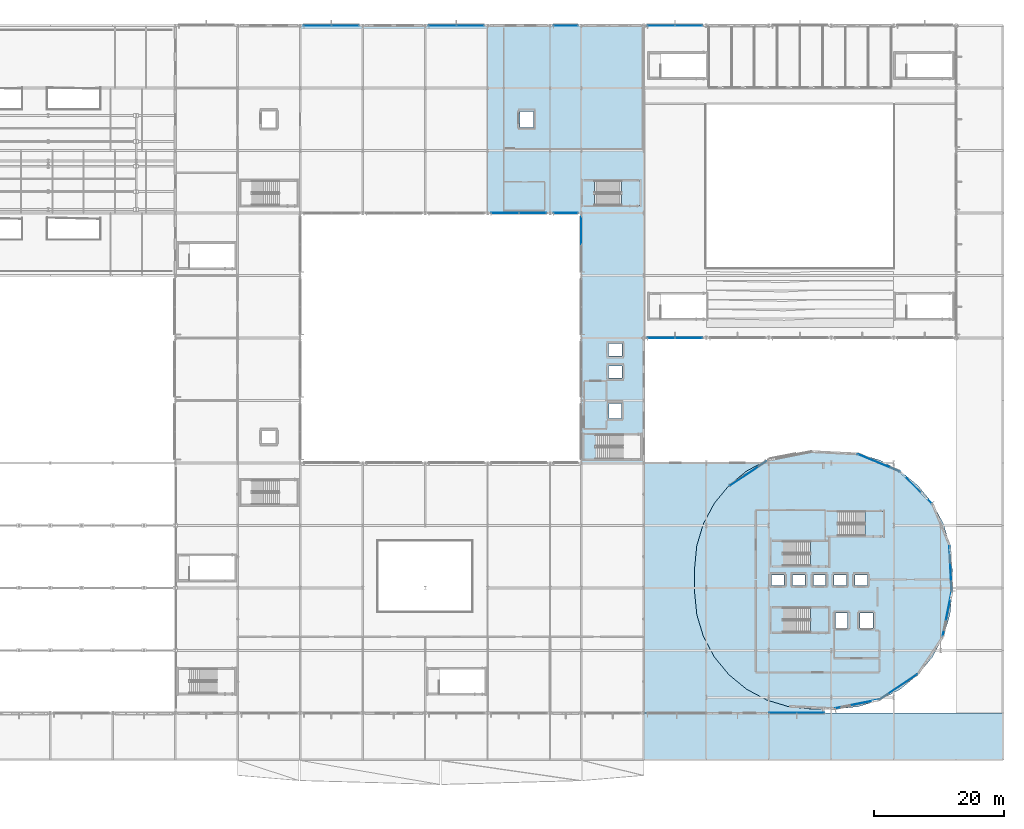
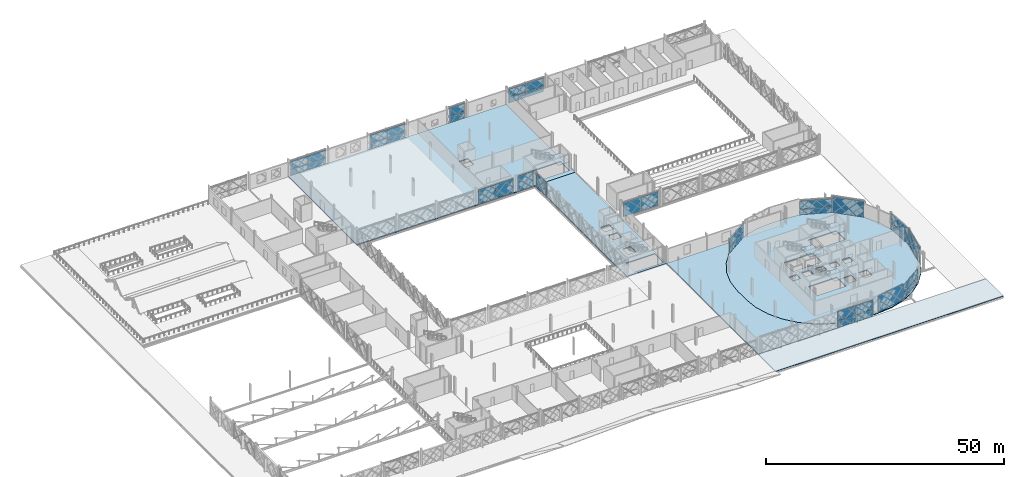
# One storey, part 62 of 101: 35 plates, 9 slabs, 20 elements without a shape of their own.
"""IFC4 building model written with IfcOpenShell, lengths in metres."""

from ifc_helpers import new_model, si_unit, direction, frame, origin, origin_2d, place, context, subcontext, project, spatial, polyline, rectangle, outline, extrude, material, layer, layer_set, type_object, element, aggregate, save


model = new_model("IFC4")

# Units and contexts
model_context = context("Model", 3, precision=1e-05, world=origin(), true_north=direction((0.0, 1.0)))
body_context = subcontext(model_context, "Body", "Model", "MODEL_VIEW")
ifc_project = project(units=[si_unit("LENGTHUNIT", "METRE"), si_unit("AREAUNIT", "SQUARE_METRE"), si_unit("VOLUMEUNIT", "CUBIC_METRE"), si_unit("PLANEANGLEUNIT", "RADIAN"), si_unit("MASSUNIT", "GRAM", prefix="KILO")], contexts=[model_context])

# Site, building, storey
site_placement = place(None, origin())
site = spatial("IfcSite", under=ifc_project, at=site_placement, CompositionType="ELEMENT")
building_placement = place(site_placement, origin())
building = spatial("IfcBuilding", under=site, at=building_placement, Name="Zevrakil Square Congress Hotel", CompositionType="ELEMENT")
storey_placement = place(building_placement, frame((0.0, 0.0, 5.39990234375)))
storey = spatial("IfcBuildingStorey", under=building, at=storey_placement, Name="L02", CompositionType="ELEMENT", Elevation=5.39990234375)

# Curtain wall, plates
ifc_material_1 = material(Name="Aluminium Anodised Bronze", Category="aluminium")
ifc_layer_1 = layer(ifc_material_1, 0.179931640625)
ifc_layer_set_1 = layer_set([ifc_layer_1], Name="Aluminium Anodised Bronze")
curtain_wall_type_1 = type_object("IfcCurtainWallType", Name="CW-L02-840", PredefinedType="USERDEFINED", material=ifc_layer_set_1)
curtain_wall_1_placement = place(storey_placement, origin())
curtain_wall_1 = element("IfcCurtainWall", 1, at=curtain_wall_1_placement, inside=storey, type_object=curtain_wall_type_1, Name="L02 diamond curtain wall CW-L02-0016", ObjectType="GLAZED CURTAIN WALL", PredefinedType="USERDEFINED")
ifc_material_2 = material(Name="Low-E Solar Control Double Glazing", Category="glass")
ifc_layer_2 = layer(ifc_material_2, 0.028076171875)
ifc_layer_set_2 = layer_set([ifc_layer_2], Name="Low-E Solar Control Double Glazing")
plate_type_1 = type_object("IfcPlateType", Name="CWP-GLAZ-28", PredefinedType="CURTAIN_PANEL", material=ifc_layer_set_2)
plate_1_placement = place(storey_placement, frame((138.96728515625, 7.199951171875, 0.06005859375), z_axis=(0.0, 0.0, 1.0), x_axis=(1.0, 0.0, 0.0)))
plate_1 = element("IfcPlate", 2, at=plate_1_placement, type_object=plate_type_1, Name="CW-23 panel 1.1", PredefinedType="CURTAIN_PANEL", context=body_context, shape_type="SweptSolid", body=[
    extrude(rectangle(XDim=4.20849609375, YDim=0.028076171875, at=origin_2d()), origin(), (0.0, 0.0, 1.0), 1.69091796875),
])
plate_2_placement = place(storey_placement, frame((143.23583984375, 7.199951171875, 1.81103515625), z_axis=(0.0, 0.0, 1.0), x_axis=(1.0, 0.0, 0.0)))
plate_2 = element("IfcPlate", 3, at=plate_2_placement, type_object=plate_type_1, Name="CW-23 panel 2.2", PredefinedType="CURTAIN_PANEL", context=body_context, shape_type="SweptSolid", body=[
    extrude(rectangle(XDim=4.20849609375, YDim=0.028076171875, at=origin_2d()), origin(), (0.0, 0.0, 1.0), 2.369140625),
])

curtain_wall_2_placement = place(storey_placement, origin())
curtain_wall_2 = element("IfcCurtainWall", 4, at=curtain_wall_2_placement, inside=storey, type_object=curtain_wall_type_1, Name="L02 diamond curtain wall CW-L02-0038", ObjectType="GLAZED CURTAIN WALL", PredefinedType="USERDEFINED")
plate_3_placement = place(storey_placement, frame((67.47509765625, 112.800048828125, 1.577880859375), z_axis=(0.0, 0.0, 1.0), x_axis=(1.0, 0.0, 0.0)))
plate_3 = element("IfcPlate", 5, at=plate_3_placement, type_object=plate_type_1, Name="CW-23 panel 1.2", PredefinedType="CURTAIN_PANEL", context=body_context, shape_type="SweptSolid", body=[
    extrude(rectangle(XDim=4.18994140625, YDim=0.028076171875, at=origin_2d()), origin(), (0.0, 0.0, 1.0), 2.04736328125),
])
plate_4_placement = place(storey_placement, frame((71.72509765625, 112.800048828125, 1.577880859375), z_axis=(0.0, 0.0, 1.0), x_axis=(1.0, 0.0, 0.0)))
plate_4 = element("IfcPlate", 6, at=plate_4_placement, type_object=plate_type_1, Name="CW-23 panel 2.2", PredefinedType="CURTAIN_PANEL", context=body_context, shape_type="SweptSolid", body=[
    extrude(rectangle(XDim=4.18994140625, YDim=0.028076171875, at=origin_2d()), origin(), (0.0, 0.0, 1.0), 2.04736328125),
])

# Curtain wall, plate
curtain_wall_3_placement = place(storey_placement, origin())
curtain_wall_3 = element("IfcCurtainWall", 7, at=curtain_wall_3_placement, inside=storey, type_object=curtain_wall_type_1, Name="L02 diamond curtain wall CW-L02-0040", ObjectType="GLAZED CURTAIN WALL", PredefinedType="USERDEFINED")
plate_5_placement = place(storey_placement, frame((86.675048828125, 112.800048828125, 1.577880859375), z_axis=(0.0, 0.0, 1.0), x_axis=(1.0, 0.0, 0.0)))
plate_5 = element("IfcPlate", 8, at=plate_5_placement, type_object=plate_type_1, Name="CW-23 panel 1.2", PredefinedType="CURTAIN_PANEL", context=body_context, shape_type="SweptSolid", body=[
    extrude(rectangle(XDim=4.18994140625, YDim=0.028076171875, at=origin_2d()), origin(), (0.0, 0.0, 1.0), 2.04736328125),
])

# Curtain wall, plates
curtain_wall_4_placement = place(storey_placement, origin())
curtain_wall_4 = element("IfcCurtainWall", 9, at=curtain_wall_4_placement, inside=storey, type_object=curtain_wall_type_1, Name="L02 diamond curtain wall CW-L02-0044", ObjectType="GLAZED CURTAIN WALL", PredefinedType="USERDEFINED")
plate_6_placement = place(storey_placement, frame((120.27490234375, 112.800048828125, 0.06005859375), z_axis=(0.0, 0.0, 1.0), x_axis=(1.0, 0.0, 0.0)))
plate_6 = element("IfcPlate", 10, at=plate_6_placement, type_object=plate_type_1, Name="CW-23 panel 1.1", PredefinedType="CURTAIN_PANEL", context=body_context, shape_type="SweptSolid", body=[
    extrude(rectangle(XDim=4.18994140625, YDim=0.028076171875, at=origin_2d()), origin(), (0.0, 0.0, 1.0), 1.457763671875),
])
plate_7_placement = place(storey_placement, frame((124.52490234375, 112.800048828125, 0.06005859375), z_axis=(0.0, 0.0, 1.0), x_axis=(1.0, 0.0, 0.0)))
plate_7 = element("IfcPlate", 11, at=plate_7_placement, type_object=plate_type_1, Name="CW-23 panel 2.1", PredefinedType="CURTAIN_PANEL", context=body_context, shape_type="SweptSolid", body=[
    extrude(rectangle(XDim=4.18994140625, YDim=0.028076171875, at=origin_2d()), origin(), (0.0, 0.0, 1.0), 1.457763671875),
])

# Curtain wall, plate
curtain_wall_5_placement = place(storey_placement, origin())
curtain_wall_5 = element("IfcCurtainWall", 12, at=curtain_wall_5_placement, inside=storey, type_object=curtain_wall_type_1, Name="L02 diamond curtain wall CW-L02-0113", ObjectType="GLAZED CURTAIN WALL", PredefinedType="USERDEFINED")
plate_8_placement = place(storey_placement, frame((100.52490234375, 84.0, 0.06005859375), z_axis=(0.0, 0.0, 1.0), x_axis=(1.0, 0.0, 0.0)))
plate_8 = element("IfcPlate", 13, at=plate_8_placement, type_object=plate_type_1, Name="CW-23 panel 2.1", PredefinedType="CURTAIN_PANEL", context=body_context, shape_type="SweptSolid", body=[
    extrude(rectangle(XDim=4.18994140625, YDim=0.028076171875, at=origin_2d()), origin(), (0.0, 0.0, 1.0), 3.56494140625),
])

ifc_material_3 = material(Name="Aluminium Anodised Bronze", Category="aluminium")
ifc_layer_3 = layer(ifc_material_3, 0.179931640625)
ifc_layer_set_3 = layer_set([ifc_layer_3], Name="Aluminium Anodised Bronze")
curtain_wall_type_2 = type_object("IfcCurtainWallType", Name="CW-L02-720", PredefinedType="USERDEFINED", material=ifc_layer_set_3)
curtain_wall_6_placement = place(storey_placement, origin())
curtain_wall_6 = element("IfcCurtainWall", 14, at=curtain_wall_6_placement, inside=storey, type_object=curtain_wall_type_2, Name="L02 diamond curtain wall CW-L02-0154", ObjectType="GLAZED CURTAIN WALL", PredefinedType="USERDEFINED")
plate_9_placement = place(storey_placement, frame((156.738525390625, 11.202880859375, 0.06005859375), z_axis=(0.0, 0.0, 1.0), x_axis=(0.831465693332, 0.555576098128, 0.0)))
plate_9 = element("IfcPlate", 15, at=plate_9_placement, type_object=plate_type_1, Name="CW-22 panel 1.1", PredefinedType="CURTAIN_PANEL", context=body_context, shape_type="SweptSolid", body=[
    extrude(rectangle(XDim=6.8857421875, YDim=0.028076171875, at=origin_2d()), origin(), (0.0, 0.0, 1.0), 1.457763671875),
])

curtain_wall_7_placement = place(storey_placement, origin())
curtain_wall_7 = element("IfcCurtainWall", 16, at=curtain_wall_7_placement, inside=storey, type_object=curtain_wall_type_2, Name="L02 diamond curtain wall CW-L02-0156", ObjectType="GLAZED CURTAIN WALL", PredefinedType="USERDEFINED")
plate_10_placement = place(storey_placement, frame((164.737548828125, 29.351318359375, 0.06005859375), z_axis=(0.0, 0.0, 1.0), x_axis=(-0.049136331831, 0.998792080913, 0.0)))
plate_10 = element("IfcPlate", 17, at=plate_10_placement, type_object=plate_type_1, Name="CW-22 panel 1.1", PredefinedType="CURTAIN_PANEL", context=body_context, shape_type="SweptSolid", body=[
    extrude(rectangle(XDim=6.9013671875, YDim=0.028076171875, at=origin_2d()), origin(), (0.0, 0.0, 1.0), 1.69091796875),
])

curtain_wall_8_placement = place(storey_placement, origin())
curtain_wall_8 = element("IfcCurtainWall", 18, at=curtain_wall_8_placement, inside=storey, type_object=curtain_wall_type_2, Name="L02 diamond curtain wall CW-L02-0158", ObjectType="GLAZED CURTAIN WALL", PredefinedType="USERDEFINED")
plate_11_placement = place(storey_placement, frame((153.694091796875, 45.62451171875, 1.577880859375), z_axis=(0.0, 0.0, 1.0), x_axis=(-0.92387939537, 0.382683763454, 0.0)))
plate_11 = element("IfcPlate", 19, at=plate_11_placement, type_object=plate_type_1, Name="CW-22 panel 1.2", PredefinedType="CURTAIN_PANEL", context=body_context, shape_type="SweptSolid", body=[
    extrude(rectangle(XDim=6.8857421875, YDim=0.028076171875, at=origin_2d()), origin(), (0.0, 0.0, 1.0), 2.04736328125),
])

curtain_wall_9_placement = place(storey_placement, origin())
curtain_wall_9 = element("IfcCurtainWall", 20, at=curtain_wall_9_placement, inside=storey, type_object=curtain_wall_type_2, Name="L02 diamond curtain wall CW-L02-0160", ObjectType="GLAZED CURTAIN WALL", PredefinedType="USERDEFINED")
plate_12_placement = place(storey_placement, frame((133.6162109375, 43.967041015625, 1.577880859375), z_axis=(0.0, 0.0, 1.0), x_axis=(-0.831463154193, -0.555579898142, 0.0)))
plate_12 = element("IfcPlate", 21, at=plate_12_placement, type_object=plate_type_1, Name="CW-22 panel 1.2", PredefinedType="CURTAIN_PANEL", context=body_context, shape_type="SweptSolid", body=[
    extrude(rectangle(XDim=6.77685546875, YDim=0.028076171875, at=origin_2d()), origin(), (0.0, 0.0, 1.0), 2.04736328125),
])

# Plate
ifc_material_4 = material(Name="Basalt Grey Ribbed GRC Panel", Category="masonry")
ifc_layer_4 = layer(ifc_material_4, 0.0439453125)
ifc_layer_set_4 = layer_set([ifc_layer_4], Name="Basalt Grey Ribbed GRC Panel")
plate_type_2 = type_object("IfcPlateType", Name="CWP-GRCG-44", PredefinedType="CURTAIN_PANEL", material=ifc_layer_set_4)
plate_13_placement = place(storey_placement, frame((143.23583984375, 7.199951171875, 0.06005859375), z_axis=(0.0, 0.0, 1.0), x_axis=(1.0, 0.0, 0.0)))
plate_13 = element("IfcPlate", 22, at=plate_13_placement, type_object=plate_type_2, Name="CW-23 panel 2.1", PredefinedType="CURTAIN_PANEL", context=body_context, shape_type="SweptSolid", body=[
    extrude(rectangle(XDim=4.20849609375, YDim=0.028076171875, at=origin_2d()), origin(), (0.0, 0.0, 1.0), 1.69091796875),
])

plate_14_placement = place(storey_placement, frame((67.47509765625, 112.800048828125, 0.06005859375), z_axis=(0.0, 0.0, 1.0), x_axis=(1.0, 0.0, 0.0)))
plate_14 = element("IfcPlate", 23, at=plate_14_placement, type_object=plate_type_2, Name="CW-23 panel 1.1", PredefinedType="CURTAIN_PANEL", context=body_context, shape_type="SweptSolid", body=[
    extrude(rectangle(XDim=4.18994140625, YDim=0.028076171875, at=origin_2d()), origin(), (0.0, 0.0, 1.0), 1.457763671875),
])

plate_15_placement = place(storey_placement, frame((90.925048828125, 112.800048828125, 1.577880859375), z_axis=(0.0, 0.0, 1.0), x_axis=(1.0, 0.0, 0.0)))
plate_15 = element("IfcPlate", 24, at=plate_15_placement, type_object=plate_type_2, Name="CW-23 panel 2.2", PredefinedType="CURTAIN_PANEL", context=body_context, shape_type="SweptSolid", body=[
    extrude(rectangle(XDim=4.18994140625, YDim=0.028076171875, at=origin_2d()), origin(), (0.0, 0.0, 1.0), 2.04736328125),
])

# Curtain wall, plate
ifc_material_5 = material(Name="Aluminium Anodised Bronze", Category="aluminium")
ifc_layer_5 = layer(ifc_material_5, 0.179931640625)
ifc_layer_set_5 = layer_set([ifc_layer_5], Name="Aluminium Anodised Bronze")
curtain_wall_type_3 = type_object("IfcCurtainWallType", Name="CW-L02-360", PredefinedType="USERDEFINED", material=ifc_layer_set_5)
curtain_wall_10_placement = place(storey_placement, origin())
curtain_wall_10 = element("IfcCurtainWall", 25, at=curtain_wall_10_placement, inside=storey, type_object=curtain_wall_type_3, Name="L02 diamond curtain wall CW-L02-0042", ObjectType="GLAZED CURTAIN WALL", PredefinedType="USERDEFINED")
plate_16_placement = place(storey_placement, frame((105.60009765625, 112.800048828125, 1.67431640625), z_axis=(0.0, 0.0, 1.0), x_axis=(1.0, 0.0, 0.0)))
plate_16 = element("IfcPlate", 26, at=plate_16_placement, type_object=plate_type_2, Name="CW-16 panel 1.2", PredefinedType="CURTAIN_PANEL", context=body_context, shape_type="SweptSolid", body=[
    extrude(rectangle(XDim=3.639892578125, YDim=0.028076171875, at=origin_2d()), origin(), (0.0, 0.0, 1.0), 2.1806640625),
])

curtain_wall_11_placement = place(storey_placement, origin())
curtain_wall_11 = element("IfcCurtainWall", 27, at=curtain_wall_11_placement, inside=storey, type_object=curtain_wall_type_1, Name="L02 diamond curtain wall CW-L02-0057", ObjectType="GLAZED CURTAIN WALL", PredefinedType="USERDEFINED")
plate_17_placement = place(storey_placement, frame((124.52490234375, 64.800048828125, 0.06005859375), z_axis=(0.0, 0.0, 1.0), x_axis=(1.0, 0.0, 0.0)))
plate_17 = element("IfcPlate", 28, at=plate_17_placement, type_object=plate_type_2, Name="CW-23 panel 2.1", PredefinedType="CURTAIN_PANEL", context=body_context, shape_type="SweptSolid", body=[
    extrude(rectangle(XDim=4.18994140625, YDim=0.028076171875, at=origin_2d()), origin(), (0.0, 0.0, 1.0), 3.56494140625),
])

# Plate
plate_18_placement = place(storey_placement, frame((96.27490234375, 84.0, 0.06005859375), z_axis=(0.0, 0.0, 1.0), x_axis=(1.0, 0.0, 0.0)))
plate_18 = element("IfcPlate", 29, at=plate_18_placement, type_object=plate_type_2, Name="CW-23 panel 1.1", PredefinedType="CURTAIN_PANEL", context=body_context, shape_type="SweptSolid", body=[
    extrude(rectangle(XDim=4.18994140625, YDim=0.028076171875, at=origin_2d()), origin(), (0.0, 0.0, 1.0), 3.56494140625),
])

aggregate(curtain_wall_5, [plate_18, plate_8])

# Curtain wall, plate
curtain_wall_12_placement = place(storey_placement, origin())
curtain_wall_12 = element("IfcCurtainWall", 30, at=curtain_wall_12_placement, inside=storey, type_object=curtain_wall_type_2, Name="L02 diamond curtain wall CW-L02-0153", ObjectType="GLAZED CURTAIN WALL", PredefinedType="USERDEFINED")
plate_19_placement = place(storey_placement, frame((150.390625, 8.5732421875, 0.06005859375), z_axis=(0.0, 0.0, 1.0), x_axis=(0.980786557708, 0.195083900459, 0.0)))
plate_19 = element("IfcPlate", 31, at=plate_19_placement, type_object=plate_type_2, Name="CW-22 panel 1.1", PredefinedType="CURTAIN_PANEL", context=body_context, shape_type="SweptSolid", body=[
    extrude(rectangle(XDim=6.8857421875, YDim=0.028076171875, at=origin_2d()), origin(), (0.0, 0.0, 1.0), 4.1201171875),
])
aggregate(curtain_wall_12, [plate_19])

# Plate
plate_20_placement = place(storey_placement, frame((153.694091796875, 45.62451171875, 0.06005859375), z_axis=(0.0, 0.0, 1.0), x_axis=(-0.92387939537, 0.382683763454, 0.0)))
plate_20 = element("IfcPlate", 32, at=plate_20_placement, type_object=plate_type_2, Name="CW-22 panel 1.1", PredefinedType="CURTAIN_PANEL", context=body_context, shape_type="SweptSolid", body=[
    extrude(rectangle(XDim=6.8857421875, YDim=0.028076171875, at=origin_2d()), origin(), (0.0, 0.0, 1.0), 1.457763671875),
])

aggregate(curtain_wall_8, [plate_20, plate_11])

ifc_material_6 = material(Name="White Ribbed Highland GRC Panel", Category="concrete")
ifc_layer_6 = layer(ifc_material_6, 0.0400390625)
ifc_layer_set_6 = layer_set([ifc_layer_6], Name="White Ribbed Highland GRC Panel")
plate_type_3 = type_object("IfcPlateType", Name="CWP-GRCW-40", PredefinedType="CURTAIN_PANEL", material=ifc_layer_set_6)
plate_21_placement = place(storey_placement, frame((138.96728515625, 7.199951171875, 1.81103515625), z_axis=(0.0, 0.0, 1.0), x_axis=(1.0, 0.0, 0.0)))
plate_21 = element("IfcPlate", 33, at=plate_21_placement, type_object=plate_type_3, Name="CW-23 panel 1.2", PredefinedType="CURTAIN_PANEL", context=body_context, shape_type="SweptSolid", body=[
    extrude(rectangle(XDim=4.20849609375, YDim=0.028076171875, at=origin_2d()), origin(), (0.0, 0.0, 1.0), 2.369140625),
])

aggregate(curtain_wall_1, [plate_1, plate_21, plate_13, plate_2])

plate_22_placement = place(storey_placement, frame((71.72509765625, 112.800048828125, 0.06005859375), z_axis=(0.0, 0.0, 1.0), x_axis=(1.0, 0.0, 0.0)))
plate_22 = element("IfcPlate", 34, at=plate_22_placement, type_object=plate_type_3, Name="CW-23 panel 2.1", PredefinedType="CURTAIN_PANEL", context=body_context, shape_type="SweptSolid", body=[
    extrude(rectangle(XDim=4.18994140625, YDim=0.028076171875, at=origin_2d()), origin(), (0.0, 0.0, 1.0), 1.457763671875),
])

aggregate(curtain_wall_2, [plate_14, plate_3, plate_22, plate_4])

plate_23_placement = place(storey_placement, frame((86.675048828125, 112.800048828125, 0.06005859375), z_axis=(0.0, 0.0, 1.0), x_axis=(1.0, 0.0, 0.0)))
plate_23 = element("IfcPlate", 35, at=plate_23_placement, type_object=plate_type_3, Name="CW-23 panel 1.1", PredefinedType="CURTAIN_PANEL", context=body_context, shape_type="SweptSolid", body=[
    extrude(rectangle(XDim=4.18994140625, YDim=0.028076171875, at=origin_2d()), origin(), (0.0, 0.0, 1.0), 1.457763671875),
])

plate_24_placement = place(storey_placement, frame((90.925048828125, 112.800048828125, 0.06005859375), z_axis=(0.0, 0.0, 1.0), x_axis=(1.0, 0.0, 0.0)))
plate_24 = element("IfcPlate", 36, at=plate_24_placement, type_object=plate_type_3, Name="CW-23 panel 2.1", PredefinedType="CURTAIN_PANEL", context=body_context, shape_type="SweptSolid", body=[
    extrude(rectangle(XDim=4.18994140625, YDim=0.028076171875, at=origin_2d()), origin(), (0.0, 0.0, 1.0), 1.457763671875),
])

aggregate(curtain_wall_3, [plate_23, plate_5, plate_24, plate_15])

plate_25_placement = place(storey_placement, frame((105.60009765625, 112.800048828125, 0.06005859375), z_axis=(0.0, 0.0, 1.0), x_axis=(1.0, 0.0, 0.0)))
plate_25 = element("IfcPlate", 37, at=plate_25_placement, type_object=plate_type_3, Name="CW-16 panel 1.1", PredefinedType="CURTAIN_PANEL", context=body_context, shape_type="SweptSolid", body=[
    extrude(rectangle(XDim=3.639892578125, YDim=0.028076171875, at=origin_2d()), origin(), (0.0, 0.0, 1.0), 1.55419921875),
])

aggregate(curtain_wall_10, [plate_25, plate_16])

plate_26_placement = place(storey_placement, frame((120.27490234375, 112.800048828125, 1.577880859375), z_axis=(0.0, 0.0, 1.0), x_axis=(1.0, 0.0, 0.0)))
plate_26 = element("IfcPlate", 38, at=plate_26_placement, type_object=plate_type_3, Name="CW-23 panel 1.2", PredefinedType="CURTAIN_PANEL", context=body_context, shape_type="SweptSolid", body=[
    extrude(rectangle(XDim=4.18994140625, YDim=0.028076171875, at=origin_2d()), origin(), (0.0, 0.0, 1.0), 2.04736328125),
])

plate_27_placement = place(storey_placement, frame((124.52490234375, 112.800048828125, 1.577880859375), z_axis=(0.0, 0.0, 1.0), x_axis=(1.0, 0.0, 0.0)))
plate_27 = element("IfcPlate", 39, at=plate_27_placement, type_object=plate_type_3, Name="CW-23 panel 2.2", PredefinedType="CURTAIN_PANEL", context=body_context, shape_type="SweptSolid", body=[
    extrude(rectangle(XDim=4.18994140625, YDim=0.028076171875, at=origin_2d()), origin(), (0.0, 0.0, 1.0), 2.04736328125),
])

aggregate(curtain_wall_4, [plate_6, plate_26, plate_7, plate_27])

plate_28_placement = place(storey_placement, frame((120.27490234375, 64.800048828125, 0.06005859375), z_axis=(0.0, 0.0, 1.0), x_axis=(1.0, 0.0, 0.0)))
plate_28 = element("IfcPlate", 40, at=plate_28_placement, type_object=plate_type_3, Name="CW-23 panel 1.1", PredefinedType="CURTAIN_PANEL", context=body_context, shape_type="SweptSolid", body=[
    extrude(rectangle(XDim=4.18994140625, YDim=0.028076171875, at=origin_2d()), origin(), (0.0, 0.0, 1.0), 3.56494140625),
])

aggregate(curtain_wall_11, [plate_28, plate_17])

# Curtain wall, plate
curtain_wall_13_placement = place(storey_placement, origin())
curtain_wall_13 = element("IfcCurtainWall", 41, at=curtain_wall_13_placement, inside=storey, type_object=curtain_wall_type_3, Name="L02 diamond curtain wall CW-L02-0117", ObjectType="GLAZED CURTAIN WALL", PredefinedType="USERDEFINED")
plate_29_placement = place(storey_placement, frame((105.60009765625, 84.0, 0.06005859375), z_axis=(0.0, 0.0, 1.0), x_axis=(1.0, 0.0, 0.0)))
plate_29 = element("IfcPlate", 42, at=plate_29_placement, type_object=plate_type_3, Name="CW-16 panel 1.1", PredefinedType="CURTAIN_PANEL", context=body_context, shape_type="SweptSolid", body=[
    extrude(rectangle(XDim=3.639892578125, YDim=0.028076171875, at=origin_2d()), origin(), (0.0, 0.0, 1.0), 3.794921875),
])
aggregate(curtain_wall_13, [plate_29])

curtain_wall_14_placement = place(storey_placement, origin())
curtain_wall_14 = element("IfcCurtainWall", 43, at=curtain_wall_14_placement, inside=storey, type_object=curtain_wall_type_1, Name="L02 diamond curtain wall CW-L02-0141", ObjectType="GLAZED CURTAIN WALL", PredefinedType="USERDEFINED")
plate_30_placement = place(storey_placement, frame((108.0, 81.324951171875, 0.06005859375), z_axis=(0.0, 0.0, 1.0), x_axis=(0.0, 1.0, 0.0)))
plate_30 = element("IfcPlate", 44, at=plate_30_placement, type_object=plate_type_3, Name="CW-23 panel 2.1", PredefinedType="CURTAIN_PANEL", context=body_context, shape_type="SweptSolid", body=[
    extrude(rectangle(XDim=4.18994140625, YDim=0.028076171875, at=origin_2d()), origin(), (0.0, 0.0, 1.0), 3.554931640625),
])
aggregate(curtain_wall_14, [plate_30])

# Plate
plate_31_placement = place(storey_placement, frame((156.738525390625, 11.202880859375, 1.577880859375), z_axis=(0.0, 0.0, 1.0), x_axis=(0.831465693332, 0.555576098128, 0.0)))
plate_31 = element("IfcPlate", 45, at=plate_31_placement, type_object=plate_type_3, Name="CW-22 panel 1.2", PredefinedType="CURTAIN_PANEL", context=body_context, shape_type="SweptSolid", body=[
    extrude(rectangle(XDim=6.8857421875, YDim=0.028076171875, at=origin_2d()), origin(), (0.0, 0.0, 1.0), 2.04736328125),
])

aggregate(curtain_wall_6, [plate_9, plate_31])

# Curtain wall, plate
curtain_wall_15_placement = place(storey_placement, origin())
curtain_wall_15 = element("IfcCurtainWall", 46, at=curtain_wall_15_placement, inside=storey, type_object=curtain_wall_type_2, Name="L02 diamond curtain wall CW-L02-0155", ObjectType="GLAZED CURTAIN WALL", PredefinedType="USERDEFINED")
plate_32_placement = place(storey_placement, frame((164.2265625, 22.409423828125, 0.06005859375), z_axis=(0.0, 0.0, 1.0), x_axis=(0.195083900459, 0.980786557708, 0.0)))
plate_32 = element("IfcPlate", 47, at=plate_32_placement, type_object=plate_type_3, Name="CW-22 panel 1.1", PredefinedType="CURTAIN_PANEL", context=body_context, shape_type="SweptSolid", body=[
    extrude(rectangle(XDim=6.8857421875, YDim=0.028076171875, at=origin_2d()), origin(), (0.0, 0.0, 1.0), 4.1201171875),
])
aggregate(curtain_wall_15, [plate_32])

# Plate
plate_33_placement = place(storey_placement, frame((164.737548828125, 29.351318359375, 1.81103515625), z_axis=(0.0, 0.0, 1.0), x_axis=(-0.049136331831, 0.998792080913, 0.0)))
plate_33 = element("IfcPlate", 48, at=plate_33_placement, type_object=plate_type_3, Name="CW-22 panel 1.2", PredefinedType="CURTAIN_PANEL", context=body_context, shape_type="SweptSolid", body=[
    extrude(rectangle(XDim=6.9013671875, YDim=0.028076171875, at=origin_2d()), origin(), (0.0, 0.0, 1.0), 2.369140625),
])

aggregate(curtain_wall_7, [plate_10, plate_33])

# Curtain wall, plate
curtain_wall_16_placement = place(storey_placement, origin())
curtain_wall_16 = element("IfcCurtainWall", 49, at=curtain_wall_16_placement, inside=storey, type_object=curtain_wall_type_2, Name="L02 diamond curtain wall CW-L02-0157", ObjectType="GLAZED CURTAIN WALL", PredefinedType="USERDEFINED")
plate_34_placement = place(storey_placement, frame((159.4072265625, 41.80712890625, 0.06005859375), z_axis=(0.0, 0.0, 1.0), x_axis=(-0.707106781187, 0.707106781187, 0.0)))
plate_34 = element("IfcPlate", 50, at=plate_34_placement, type_object=plate_type_3, Name="CW-22 panel 1.1", PredefinedType="CURTAIN_PANEL", context=body_context, shape_type="SweptSolid", body=[
    extrude(rectangle(XDim=6.885498046875, YDim=0.028076171875, at=origin_2d()), origin(), (0.0, 0.0, 1.0), 4.1201171875),
])
aggregate(curtain_wall_16, [plate_34])

# Plate
plate_35_placement = place(storey_placement, frame((133.6162109375, 43.967041015625, 0.06005859375), z_axis=(0.0, 0.0, 1.0), x_axis=(-0.831463154193, -0.555579898142, 0.0)))
plate_35 = element("IfcPlate", 51, at=plate_35_placement, type_object=plate_type_3, Name="CW-22 panel 1.1", PredefinedType="CURTAIN_PANEL", context=body_context, shape_type="SweptSolid", body=[
    extrude(rectangle(XDim=6.77685546875, YDim=0.028076171875, at=origin_2d()), origin(), (0.0, 0.0, 1.0), 1.457763671875),
])

aggregate(curtain_wall_9, [plate_35, plate_12])

# Slabs
ifc_material_7 = material(Name="Concrete C35/45", Category="concrete")
ifc_layer_7 = layer(ifc_material_7, 0.2548828125)
ifc_layer_set_7 = layer_set([ifc_layer_7], Name="Concrete C35/45")
slab_type_1 = type_object("IfcSlabType", Name="SLB-DRUM-195", PredefinedType="FLOOR", material=ifc_layer_set_7)
slab_1_placement = place(storey_placement, frame((0.0, 0.0, -0.2548828125)))
element("IfcSlab", 52, at=slab_1_placement, inside=storey, type_object=slab_type_1, Name="L02 south composite floor slab (E joint block)", PredefinedType="FLOOR", context=body_context, shape_type="SweptSolid", body=[
    extrude(outline(polyline([(117.625, 7.199951171875), (117.625, 45.60009765625), (135.70751953125, 45.60009765625), (133.399658203125, 44.366455078125), (130.672119140625, 42.1279296875), (128.43359375, 39.400390625), (126.770263671875, 36.288330078125), (125.745849609375, 32.91162109375), (125.39990234375, 29.39990234375), (125.39990234375, 25.800048828125), (125.745849609375, 22.288330078125), (126.770263671875, 18.91162109375), (128.43359375, 15.7998046875), (130.672119140625, 13.072021484375), (133.399658203125, 10.83349609375), (136.51171875, 9.170166015625), (139.888427734375, 8.14599609375), (143.39990234375, 7.800048828125), (145.199951171875, 7.800048828125), (145.199951171875, 7.199951171875), (117.625, 7.199951171875)])), origin(), (0.0, 0.0, 1.0), 0.2548828125),
])
slab_2_placement = place(storey_placement, frame((0.0, 0.0, -0.2548828125)))
element("IfcSlab", 53, at=slab_2_placement, inside=storey, type_object=slab_type_1, Name="L02 north composite floor slab", PredefinedType="FLOOR", context=body_context, shape_type="SweptSolid", body=[
    extrude(outline(polyline([(64.800048828125, 84.0), (64.800048828125, 112.800048828125), (117.574951171875, 112.800048828125), (117.574951171875, 84.0), (64.800048828125, 84.0)]), holes=[polyline([(110.044921875, 85.199951171875), (117.0, 85.199951171875), (117.0, 88.949951171875), (110.044921875, 88.949951171875), (110.044921875, 85.199951171875)]), polyline([(98.56005859375, 97.159912109375), (100.639892578125, 97.159912109375), (100.639892578125, 99.639892578125), (98.56005859375, 99.639892578125), (98.56005859375, 97.159912109375)])]), origin(), (0.0, 0.0, 1.0), 0.2548828125),
])
slab_3_placement = place(storey_placement, frame((0.0, 0.0, -0.2548828125)))
element("IfcSlab", 54, at=slab_3_placement, inside=storey, type_object=slab_type_1, Name="L02 espine composite floor slab", PredefinedType="FLOOR", context=body_context, shape_type="SweptSolid", body=[
    extrude(outline(polyline([(108.0, 45.60009765625), (108.0, 84.0), (117.574951171875, 84.0), (117.574951171875, 45.60009765625), (108.0, 45.60009765625)]), holes=[polyline([(110.2451171875, 46.199951171875), (117.199951171875, 46.199951171875), (117.199951171875, 49.949951171875), (110.2451171875, 49.949951171875), (110.2451171875, 46.199951171875)]), polyline([(112.260009765625, 52.4599609375), (114.139892578125, 52.4599609375), (114.139892578125, 54.739990234375), (112.260009765625, 54.739990234375), (112.260009765625, 52.4599609375)]), polyline([(112.159912109375, 58.659912109375), (114.239990234375, 58.659912109375), (114.239990234375, 60.5400390625), (112.159912109375, 60.5400390625), (112.159912109375, 58.659912109375)]), polyline([(112.159912109375, 62.06005859375), (114.239990234375, 62.06005859375), (114.239990234375, 63.93994140625), (112.159912109375, 63.93994140625), (112.159912109375, 62.06005859375)])]), origin(), (0.0, 0.0, 1.0), 0.2548828125),
])
slab_4_placement = place(storey_placement, frame((0.0, 0.0, -0.2548828125)))
element("IfcSlab", 55, at=slab_4_placement, inside=storey, type_object=slab_type_1, Name="L02 hotel drum concourse slab", PredefinedType="FLOOR", context=body_context, shape_type="SweptSolid", body=[
    extrude(outline(polyline([(147.0, 7.800048828125), (150.51171875, 8.14599609375), (153.88818359375, 9.170166015625), (157.000244140625, 10.83349609375), (159.727783203125, 13.072021484375), (161.966552734375, 15.7998046875), (163.6298828125, 18.91162109375), (164.654052734375, 22.288330078125), (165.0, 25.800048828125), (165.0, 29.39990234375), (164.654052734375, 32.91162109375), (163.6298828125, 36.288330078125), (161.966552734375, 39.400390625), (159.727783203125, 42.1279296875), (157.000244140625, 44.366455078125), (153.88818359375, 46.02978515625), (150.51171875, 47.05419921875), (147.0, 47.39990234375), (143.39990234375, 47.39990234375), (139.888427734375, 47.05419921875), (136.51171875, 46.02978515625), (133.399658203125, 44.366455078125), (130.672119140625, 42.1279296875), (128.43359375, 39.400390625), (126.770263671875, 36.288330078125), (125.745849609375, 32.91162109375), (125.39990234375, 29.39990234375), (125.39990234375, 25.800048828125), (125.745849609375, 22.288330078125), (126.770263671875, 18.91162109375), (128.43359375, 15.7998046875), (130.672119140625, 13.072021484375), (133.399658203125, 10.83349609375), (136.51171875, 9.170166015625), (139.888427734375, 8.14599609375), (143.39990234375, 7.800048828125), (147.0, 7.800048828125)]), holes=[polyline([(139.044921875, 19.60009765625), (146.0, 19.60009765625), (146.0, 23.35009765625), (139.044921875, 23.35009765625), (139.044921875, 19.60009765625)]), polyline([(139.044921875, 29.800048828125), (146.0, 29.800048828125), (146.0, 33.550048828125), (139.044921875, 33.550048828125), (139.044921875, 29.800048828125)]), polyline([(147.445068359375, 34.39990234375), (154.39990234375, 34.39990234375), (154.39990234375, 38.14990234375), (147.445068359375, 38.14990234375), (147.445068359375, 34.39990234375)]), polyline([(137.260009765625, 26.81005859375), (139.139892578125, 26.81005859375), (139.139892578125, 28.389892578125), (137.260009765625, 28.389892578125), (137.260009765625, 26.81005859375)]), polyline([(140.4599609375, 26.81005859375), (142.340087890625, 26.81005859375), (142.340087890625, 28.389892578125), (140.4599609375, 28.389892578125), (140.4599609375, 26.81005859375)]), polyline([(143.659912109375, 26.81005859375), (145.5400390625, 26.81005859375), (145.5400390625, 28.389892578125), (143.659912109375, 28.389892578125), (143.659912109375, 26.81005859375)]), polyline([(146.860107421875, 26.81005859375), (148.739990234375, 26.81005859375), (148.739990234375, 28.389892578125), (146.860107421875, 28.389892578125), (146.860107421875, 26.81005859375)]), polyline([(150.06005859375, 26.81005859375), (151.93994140625, 26.81005859375), (151.93994140625, 28.389892578125), (150.06005859375, 28.389892578125), (150.06005859375, 26.81005859375)]), polyline([(147.06005859375, 20.260009765625), (148.93994140625, 20.260009765625), (148.93994140625, 22.5400390625), (147.06005859375, 22.5400390625), (147.06005859375, 20.260009765625)]), polyline([(150.81005859375, 20.260009765625), (152.7900390625, 20.260009765625), (152.7900390625, 22.5400390625), (150.81005859375, 22.5400390625), (150.81005859375, 20.260009765625)])]), origin(), (0.0, 0.0, 1.0), 0.2548828125),
])
ifc_material_8 = material(Name="Concrete C35/45", Category="concrete")
ifc_layer_8 = layer(ifc_material_8, 0.175048828125)
ifc_layer_set_8 = layer_set([ifc_layer_8], Name="Concrete C35/45")
slab_type_2 = type_object("IfcSlabType", Name="SLB-ROOF-COL-175", PredefinedType="ROOF", material=ifc_layer_set_8)
slab_5_placement = place(storey_placement, frame((0.0, 0.0, -0.1748046875)))
element("IfcSlab", 56, at=slab_5_placement, inside=storey, type_object=slab_type_2, Name="L02 civic square colonnade canopy roof COL-S (E joint block)", PredefinedType="ROOF", context=body_context, shape_type="SweptSolid", body=[
    extrude(outline(polyline([(172.800048828125, 7.199951171875), (172.800048828125, 0.0), (117.625, 0.0), (117.625, 7.199951171875), (172.800048828125, 7.199951171875)])), origin(), (0.0, 0.0, 1.0), 0.1748046875),
])

# Stair, slab
ifc_material_9 = material(Name="Concrete C35/45", Category="concrete")
stair_type = type_object("IfcStairType", Name="STR-DOGLEG-180", PredefinedType="HALF_TURN_STAIR", material=ifc_material_9)
stair_1_placement = place(storey_placement, origin())
stair_1 = element("IfcStair", 57, at=stair_1_placement, inside=storey, type_object=stair_type, Name="L02 Protected exit stair ST01", PredefinedType="HALF_TURN_STAIR")
ifc_material_10 = material(Name="Concrete C35/45", Category="concrete")
ifc_layer_9 = layer(ifc_material_10, 0.199951171875)
ifc_layer_set_9 = layer_set([ifc_layer_9], Name="Concrete C35/45")
slab_type_3 = type_object("IfcSlabType", Name="SLB-STAIR-LAND-200", PredefinedType="LANDING", material=ifc_layer_set_9)
slab_6_placement = place(storey_placement, frame((0.0, 0.0, 2.050048828125)))
slab_6 = element("IfcSlab", 58, at=slab_6_placement, type_object=slab_type_3, Name="ST01 landing 1", PredefinedType="LANDING", context=body_context, shape_type="SweptSolid", body=[
    extrude(outline(polyline([(143.199951171875, 19.60009765625), (146.0, 19.60009765625), (146.0, 23.35009765625), (143.199951171875, 23.35009765625), (143.199951171875, 19.60009765625)])), origin(), (0.0, 0.0, 1.0), 0.199951171875),
])
aggregate(stair_1, [slab_6])

stair_2_placement = place(storey_placement, origin())
stair_2 = element("IfcStair", 59, at=stair_2_placement, inside=storey, type_object=stair_type, Name="L02 Protected exit stair ST02", PredefinedType="HALF_TURN_STAIR")
slab_7_placement = place(storey_placement, frame((0.0, 0.0, 2.050048828125)))
slab_7 = element("IfcSlab", 60, at=slab_7_placement, type_object=slab_type_3, Name="ST02 landing 1", PredefinedType="LANDING", context=body_context, shape_type="SweptSolid", body=[
    extrude(outline(polyline([(143.199951171875, 29.800048828125), (146.0, 29.800048828125), (146.0, 33.550048828125), (143.199951171875, 33.550048828125), (143.199951171875, 29.800048828125)])), origin(), (0.0, 0.0, 1.0), 0.199951171875),
])
aggregate(stair_2, [slab_7])

stair_3_placement = place(storey_placement, origin())
stair_3 = element("IfcStair", 61, at=stair_3_placement, inside=storey, type_object=stair_type, Name="L02 Protected exit stair ST03", PredefinedType="HALF_TURN_STAIR")
slab_8_placement = place(storey_placement, frame((0.0, 0.0, 2.050048828125)))
slab_8 = element("IfcSlab", 62, at=slab_8_placement, type_object=slab_type_3, Name="ST03 landing 1", PredefinedType="LANDING", context=body_context, shape_type="SweptSolid", body=[
    extrude(outline(polyline([(151.60009765625, 34.39990234375), (154.39990234375, 34.39990234375), (154.39990234375, 38.14990234375), (151.60009765625, 38.14990234375), (151.60009765625, 34.39990234375)])), origin(), (0.0, 0.0, 1.0), 0.199951171875),
])
aggregate(stair_3, [slab_8])

stair_4_placement = place(storey_placement, origin())
stair_4 = element("IfcStair", 63, at=stair_4_placement, inside=storey, type_object=stair_type, Name="L02 Protected exit stair ST06", PredefinedType="HALF_TURN_STAIR")
slab_9_placement = place(storey_placement, frame((0.0, 0.0, 2.050048828125)))
slab_9 = element("IfcSlab", 64, at=slab_9_placement, type_object=slab_type_3, Name="ST06 landing 1", PredefinedType="LANDING", context=body_context, shape_type="SweptSolid", body=[
    extrude(outline(polyline([(114.199951171875, 85.199951171875), (117.0, 85.199951171875), (117.0, 88.949951171875), (114.199951171875, 88.949951171875), (114.199951171875, 85.199951171875)])), origin(), (0.0, 0.0, 1.0), 0.199951171875),
])
aggregate(stair_4, [slab_9])

save(model, "model.ifc")
